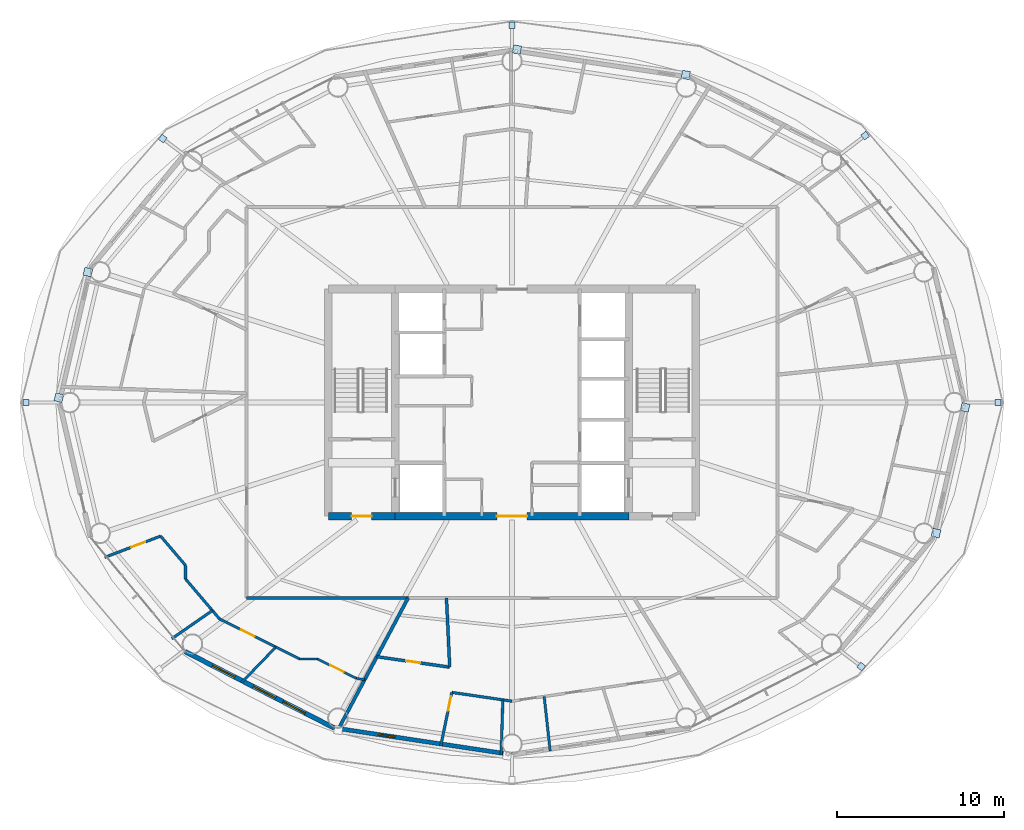
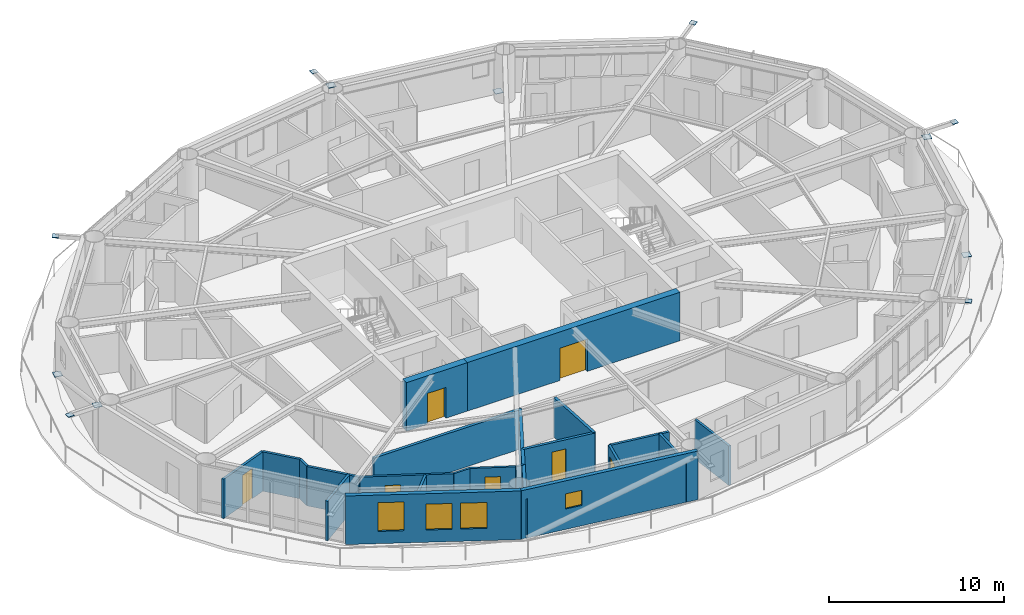
# One storey, part 20 of 28: 24 walls, 12 plates, 7 doors, 4 windows, 11 openings.
"""IFC4 building model written with IfcOpenShell, lengths in metres."""

import ifcopenshell
import ifcopenshell.guid

model = None  # the IFC model being written
_history = None  # IfcOwnerHistory: only IFC2X3 demands one
_inside = {}  # id of a spatial element -> (the spatial element, [elements in it])
_under = {}  # id of a project, library or spatial element -> (it, [spatial elements below it])
_declared = {}  # id of a project -> (the project, [libraries it declares])
_typed = {}  # id of a type object -> (the type object, [elements of that type])
_made_of = {}  # id of a material, layer set ... -> (it, [elements and type objects made of it])


def new_model(schema):
    """Start an empty IFC model of exactly this schema.

    Asked for "IFC4X3", IfcOpenShell would pick the latest addendum, in which some entities
    have other attributes; the version numbers below select the first issue.
    IFC2X3 requires an IfcOwnerHistory on every rooted entity: one is made here for all.
    """
    global model, _history
    if schema == "IFC4X3":
        model = ifcopenshell.file(schema_version=(4, 3, 0, 0))
    else:
        model = ifcopenshell.file(schema=schema)
    _inside.clear()
    _under.clear()
    _declared.clear()
    _typed.clear()
    _made_of.clear()
    _history = None
    if model.schema == "IFC2X3":
        org = make("IfcOrganization", Name="unknown")
        user = make(
            "IfcPersonAndOrganization",
            ThePerson=make("IfcPerson", FamilyName="unknown"),
            TheOrganization=org,
        )
        app = make(
            "IfcApplication",
            ApplicationDeveloper=org,
            Version="unknown",
            ApplicationFullName="unknown",
            ApplicationIdentifier="unknown",
        )
        _history = make(
            "IfcOwnerHistory",
            OwningUser=user,
            OwningApplication=app,
            ChangeAction="ADDED",
            CreationDate=0,
        )
    return model


def make(cls, **values):
    """One entity of the class cls with the attributes given. An attribute that is None is left unset."""
    return model.create_entity(
        cls, **{name: value for name, value in values.items() if value is not None}
    )


def rooted(cls, **values):
    """An entity with a GlobalId (a new one), such as an element, a storey or a relation."""
    return make(cls, GlobalId=ifcopenshell.guid.new(), OwnerHistory=_history, **values)


def si_unit(unit_type, name, prefix=None):
    """IfcSIUnit, for example si_unit("LENGTHUNIT", "METRE", prefix="MILLI")."""
    return make("IfcSIUnit", UnitType=unit_type, Prefix=prefix, Name=name)


def assignment(units):
    """IfcUnitAssignment: the units of a project."""
    return None if units is None else make("IfcUnitAssignment", Units=units)


def point(xyz):
    """IfcCartesianPoint."""
    return None if xyz is None else make("IfcCartesianPoint", Coordinates=xyz)


def direction(xyz):
    """IfcDirection."""
    return None if xyz is None else make("IfcDirection", DirectionRatios=xyz)


def frame(location, z_axis=None, x_axis=None):
    """IfcAxis2Placement3D, a coordinate frame: its origin and axes. An axis left out is left unset."""
    return make(
        "IfcAxis2Placement3D",
        Location=point(location),
        Axis=direction(z_axis),
        RefDirection=direction(x_axis),
    )


def frame_2d(location, x_axis=None):
    """IfcAxis2Placement2D, a coordinate frame in the plane: its origin and x axis."""
    return make(
        "IfcAxis2Placement2D", Location=point(location), RefDirection=direction(x_axis)
    )


def origin():
    """The frame at (0, 0, 0) with its axes left unset."""
    return frame((0.0, 0.0, 0.0))


def origin_2d():
    """The frame at (0, 0) in the plane with its x axis left unset."""
    return frame_2d((0.0, 0.0))


def place(relative_to, where):
    """IfcLocalPlacement: puts the frame where relative to a parent placement (None: the world)."""
    return make(
        "IfcLocalPlacement", PlacementRelTo=relative_to, RelativePlacement=where
    )


def context(
    kind, dimensions, precision=None, world=None, true_north=None, identifier=None
):
    """IfcGeometricRepresentationContext, for example the 3D "Model" context."""
    return make(
        "IfcGeometricRepresentationContext",
        ContextIdentifier=identifier,
        ContextType=kind,
        CoordinateSpaceDimension=dimensions,
        Precision=precision,
        WorldCoordinateSystem=world,
        TrueNorth=true_north,
    )


def subcontext(parent, identifier, kind, view, scale=None):
    """IfcGeometricRepresentationSubContext, for example "Body" below "Model"."""
    return make(
        "IfcGeometricRepresentationSubContext",
        ContextIdentifier=identifier,
        ContextType=kind,
        ParentContext=parent,
        TargetScale=scale,
        TargetView=view,
    )


def project(units=None, contexts=None):
    """IfcProject with its units and contexts."""
    return rooted(
        "IfcProject",
        Name="project",
        RepresentationContexts=contexts,
        UnitsInContext=assignment(units),
    )


def spatial(cls, under=None, at=None, **own):
    """A site, building, storey or space (cls), placed at a placement, below another one or the project."""
    s = rooted(cls, ObjectPlacement=at, **own)
    if under is not None:
        _under.setdefault(under.id(), (under, []))[1].append(s)
    return s


def profile(cls, at=None, kind="AREA", **sizes):
    """A parametric profile (cls). Its sizes go by their IFC names, for example OverallWidth=200.0."""
    return make(cls, ProfileType=kind, Position=at, **sizes)


def rectangle(**sizes):
    """IfcRectangleProfileDef."""
    return profile("IfcRectangleProfileDef", **sizes)


def extrude(swept, where, along, depth):
    """IfcExtrudedAreaSolid: the profile swept, set in the frame where, extruded along a direction by depth."""
    return make(
        "IfcExtrudedAreaSolid",
        SweptArea=swept,
        Position=where,
        ExtrudedDirection=direction(along),
        Depth=depth,
    )


def shape(context_of_items, identifier, shape_type, items):
    """IfcShapeRepresentation: the items that make up one representation, for example the "Body"."""
    return make(
        "IfcShapeRepresentation",
        ContextOfItems=context_of_items,
        RepresentationIdentifier=identifier,
        RepresentationType=shape_type,
        Items=items,
    )


def material(Name=None, Category=None):
    """IfcMaterial."""
    return make("IfcMaterial", Name=Name, Category=Category)


def layer(
    of_material, thickness, ventilated=None, Name=None, Category=None, Priority=None
):
    """IfcMaterialLayer: one layer of a wall or slab, of a material (None: an air gap)."""
    return make(
        "IfcMaterialLayer",
        Material=of_material,
        LayerThickness=thickness,
        IsVentilated=ventilated,
        Name=Name,
        Category=Category,
        Priority=Priority,
    )


def layer_set(layers, Name=None):
    """IfcMaterialLayerSet."""
    return make("IfcMaterialLayerSet", MaterialLayers=layers, LayerSetName=Name)


def made_of(thing, what):
    """Note that an element or type object is made of a material, layer set ...; save() writes the relation."""
    if what is not None:
        _made_of.setdefault(what.id(), (what, []))[1].append(thing)
    return thing


def type_object(cls, material=None, **own):
    """A type object (cls), such as IfcWallType, which elements share."""
    return made_of(rooted(cls, **own), material)


def element(
    cls,
    number,
    at=None,
    inside=None,
    cuts=None,
    type_object=None,
    material=None,
    context=None,
    identifier="Body",
    shape_type=None,
    held_by="IfcProductDefinitionShape",
    body=None,
    shapes=None,
    **own,
):
    """One element of the class cls, such as IfcWall. Its Tag is "e" and its number.

    at: its placement. inside: the storey or other place that contains it. cuts: it is an
    opening in that element (IfcRelVoidsElement). A single representation is given by context,
    identifier, shape_type and body (its items); several are given by shapes. held_by: the class
    of the entity that holds the representations. save() writes the other relations.
    """
    e = rooted(cls, Tag="e%d" % number, ObjectPlacement=at, **own)
    if body is not None:
        shapes = [shape(context, identifier, shape_type, body)]
    if shapes is not None:
        e.Representation = make(held_by, Representations=shapes)
    if inside is not None:
        _inside.setdefault(inside.id(), (inside, []))[1].append(e)
    if cuts is not None:
        rooted(
            "IfcRelVoidsElement", RelatingBuildingElement=cuts, RelatedOpeningElement=e
        )
    if type_object is not None:
        _typed.setdefault(type_object.id(), (type_object, []))[1].append(e)
    return made_of(e, material)


def fill(opening, filler):
    """IfcRelFillsElement: the door or window that sits in an opening."""
    return rooted(
        "IfcRelFillsElement",
        RelatingOpeningElement=opening,
        RelatedBuildingElement=filler,
    )


def aggregate(whole, parts):
    """IfcRelAggregates: a whole, such as a stair, and the parts it consists of."""
    return rooted("IfcRelAggregates", RelatingObject=whole, RelatedObjects=parts)


def save(model, path):
    """Write the relations noted so far, then the file.

    IfcRelAggregates (storeys below a building ...), IfcRelContainedInSpatialStructure (elements
    in a storey), IfcRelDefinesByType, IfcRelAssociatesMaterial and IfcRelDeclares: one each for
    every whole, place, type object, material and project.
    """
    for whole, parts in _under.values():
        aggregate(whole, parts)
    for where, things in _inside.values():
        rooted(
            "IfcRelContainedInSpatialStructure",
            RelatedElements=things,
            RelatingStructure=where,
        )
    for kind, things in _typed.values():
        rooted("IfcRelDefinesByType", RelatedObjects=things, RelatingType=kind)
    for what, things in _made_of.values():
        rooted("IfcRelAssociatesMaterial", RelatedObjects=things, RelatingMaterial=what)
    for by, libraries in _declared.values():
        rooted("IfcRelDeclares", RelatingContext=by, RelatedDefinitions=libraries)
    model.write(path)


model = new_model("IFC4")

# Units and contexts
model_context = context("Model", 3, precision=1e-05, world=origin(), true_north=direction((0.0, 1.0)))
body_context = subcontext(model_context, "Body", "Model", "MODEL_VIEW")
ifc_project = project(units=[si_unit("LENGTHUNIT", "METRE"), si_unit("AREAUNIT", "SQUARE_METRE"), si_unit("VOLUMEUNIT", "CUBIC_METRE"), si_unit("PLANEANGLEUNIT", "RADIAN"), si_unit("MASSUNIT", "GRAM", prefix="KILO")], contexts=[model_context])

# Site, building, storey
site_placement = place(None, origin())
site = spatial("IfcSite", under=ifc_project, at=site_placement, CompositionType="ELEMENT")
building_placement = place(site_placement, origin())
building = spatial("IfcBuilding", under=site, at=building_placement, Name="Sarneth Arch Tower", CompositionType="ELEMENT")
storey_placement = place(building_placement, frame((0.0, 0.0, 190.199951171875)))
storey = spatial("IfcBuildingStorey", under=building, at=storey_placement, Name="L48", CompositionType="ELEMENT", Elevation=190.199951171875)

# Plates
ifc_material_1 = material(Name="Steel S355", Category="steel")
ifc_layer_1 = layer(ifc_material_1, 0.035888671875)
ifc_layer_set_1 = layer_set([ifc_layer_1], Name="Steel S355")
plate_type = type_object("IfcPlateType", Name="PLT-GUSSET-30", PredefinedType="SHEET", material=ifc_layer_set_1)
for number, where, z_axis, x_axis, name in (
    (1, (77.09521484375, 42.0, 3.2021484375), (0.0, 0.0, 1.0), (1.0, 0.0, 0.0), "Steel end cap plate GP-1"),
    (2, (69.144775390625, 57.980224609375, 3.2021484375), (0.0, 0.0, 1.0), (0.797794439539, 0.602929541689, 0.0), "Steel end cap plate GP-1"),
):
    element("IfcPlate", number, at=place(storey_placement, frame(where, z_axis=z_axis, x_axis=x_axis)), inside=storey, type_object=plate_type, Name=name, PredefinedType="SHEET", context=body_context, shape_type="SweptSolid", body=[
        extrude(rectangle(XDim=0.3798828125, YDim=0.3798828125, at=origin_2d()), origin(), (0.0, 0.0, 1.0), 0.035888671875),
    ])
for number, where, z_axis, x_axis, name in (
    (3, (58.404296875, 61.612548828125, 0.001953125), (0.0, 0.0, 1.0), (-0.98883454203, 0.149017611339, 0.0), "Steel end cap plate GP-1"),
    (4, (48.296630859375, 63.13525390625, 3.03271484375), (0.0, 0.0, 1.0), (-0.98883454203, 0.149017611339, 0.0), "Steel end cap plate GP-1"),
):
    element("IfcPlate", number, at=place(storey_placement, frame(where, z_axis=z_axis, x_axis=x_axis)), inside=storey, type_object=plate_type, Name=name, PredefinedType="SHEET", context=body_context, shape_type="SweptSolid", body=[
        extrude(rectangle(XDim=0.486083984375, YDim=0.486083984375, at=origin_2d()), origin(), (0.0, 0.0, 1.0), 0.035888671875),
    ])
for number, where, z_axis, x_axis, name in (
    (5, (48.0, 64.591796875, 3.2021484375), (0.0, 0.0, 1.0), (0.0, 1.0, 0.0), "Steel end cap plate GP-1"),
    (6, (27.087646484375, 57.804443359375, 3.2021484375), (0.0, 0.0, 1.0), (-0.797794439539, 0.602929541689, 0.0), "Steel end cap plate GP-1"),
):
    element("IfcPlate", number, at=place(storey_placement, frame(where, z_axis=z_axis, x_axis=x_axis)), inside=storey, type_object=plate_type, Name=name, PredefinedType="SHEET", context=body_context, shape_type="SweptSolid", body=[
        extrude(rectangle(XDim=0.3798828125, YDim=0.3798828125, at=origin_2d()), origin(), (0.0, 0.0, 1.0), 0.035888671875),
    ])
for number, where, z_axis, x_axis, name in (
    (7, (22.609619140625, 49.81298828125, 0.001953125), (0.0, 0.0, 1.0), (-0.225291159947, -0.974291482694, 0.0), "Steel end cap plate GP-1"),
    (8, (20.87109375, 42.292236328125, 3.03271484375), (0.0, 0.0, 1.0), (-0.225291159947, -0.974291482694, 0.0), "Steel end cap plate GP-1"),
):
    element("IfcPlate", number, at=place(storey_placement, frame(where, z_axis=z_axis, x_axis=x_axis)), inside=storey, type_object=plate_type, Name=name, PredefinedType="SHEET", context=body_context, shape_type="SweptSolid", body=[
        extrude(rectangle(XDim=0.486083984375, YDim=0.486083984375, at=origin_2d()), origin(), (0.0, 0.0, 1.0), 0.035888671875),
    ])
for number, where, z_axis, x_axis, name in (
    (9, (18.90478515625, 42.0, 3.2021484375), (0.0, 0.0, 1.0), (-1.0, 0.0, 0.0), "Steel end cap plate GP-1"),
    (10, (68.912353515625, 26.195556640625, 3.2021484375), (0.0, 0.0, 1.0), (0.797794439539, -0.602929541689, 0.0), "Steel end cap plate GP-1"),
):
    element("IfcPlate", number, at=place(storey_placement, frame(where, z_axis=z_axis, x_axis=x_axis)), inside=storey, type_object=plate_type, Name=name, PredefinedType="SHEET", context=body_context, shape_type="SweptSolid", body=[
        extrude(rectangle(XDim=0.3798828125, YDim=0.3798828125, at=origin_2d()), origin(), (0.0, 0.0, 1.0), 0.035888671875),
    ])
for number, where, z_axis, x_axis, name in (
    (11, (73.390380859375, 34.18701171875, 0.001953125), (0.0, 0.0, 1.0), (0.225291159947, 0.974291482694, 0.0), "Steel end cap plate GP-1"),
    (12, (75.12890625, 41.707763671875, 3.03271484375), (0.0, 0.0, 1.0), (0.225291159947, 0.974291482694, 0.0), "Steel end cap plate GP-1"),
):
    element("IfcPlate", number, at=place(storey_placement, frame(where, z_axis=z_axis, x_axis=x_axis)), inside=storey, type_object=plate_type, Name=name, PredefinedType="SHEET", context=body_context, shape_type="SweptSolid", body=[
        extrude(rectangle(XDim=0.486083984375, YDim=0.486083984375, at=origin_2d()), origin(), (0.0, 0.0, 1.0), 0.035888671875),
    ])

# Wall, opening, door
ifc_material_2 = material(Name="Concrete C50/60", Category="concrete")
ifc_layer_2 = layer(ifc_material_2, 0.449951171875)
ifc_layer_set_2 = layer_set([ifc_layer_2], Name="Concrete C50/60")
wall_type_1 = type_object("IfcWallType", Name="WALL-CORE-450", PredefinedType="SHEAR", material=ifc_layer_set_2)
wall_1_placement = place(storey_placement, frame((37.0, 35.199951171875, 0.0), z_axis=(0.0, 0.0, 1.0), x_axis=(1.0, 0.0, 0.0)))
wall_1 = element("IfcWall", 13, at=wall_1_placement, inside=storey, type_object=wall_type_1, Name="L48 Core shear wall S-W", PredefinedType="SHEAR", context=body_context, shape_type="SweptSolid", body=[
    extrude(rectangle(XDim=4.0, YDim=0.449951171875, at=frame_2d((2.0, 0.0))), origin(), (0.0, 0.0, 1.0), 3.380126953125),
])
opening_1_placement = place(wall_1_placement, frame((1.39990234375, 0.0, 0.0)))
opening_1 = element("IfcOpeningElement", 14, at=opening_1_placement, cuts=wall_1, Name="Opening FD-02", PredefinedType="OPENING", context=body_context, shape_type="SweptSolid", body=[
    extrude(rectangle(XDim=1.199951171875, YDim=2.14990234375, at=frame_2d((0.60009765625, 1.074951171875))), frame((0.0, 0.23486328125, 0.0), z_axis=(0.0, -1.0, 0.0), x_axis=(1.0, 0.0, 0.0)), (0.0, 0.0, 1.0), 0.469970703125),
])
ifc_material_3 = material(Name="Galvanised Steel S275 fire door set", Category="steel")
door_type_1 = type_object("IfcDoorType", Name="DR-FD90-1200", OperationType="SINGLE_SWING_LEFT", PredefinedType="DOOR", material=ifc_material_3)
door_1_placement = place(opening_1_placement, origin())
door_1 = element("IfcDoor", 15, at=door_1_placement, inside=storey, type_object=door_type_1, Name="L48 Firefighting lobby 1 exit door", OperationType="SINGLE_SWING_LEFT", OverallHeight=2.14990234375, OverallWidth=1.199951171875, PredefinedType="DOOR", context=body_context, shape_type="SweptSolid", body=[
    extrude(rectangle(XDim=1.199951171875, YDim=2.14990234375, at=frame_2d((0.60009765625, 1.074951171875))), frame((0.0, 0.02490234375, 0.0), z_axis=(0.0, -1.0, 0.0), x_axis=(1.0, 0.0, 0.0)), (0.0, 0.0, 1.0), 0.050048828125),
])
fill(opening_1, door_1)

wall_2_placement = place(storey_placement, frame((41.0, 35.199951171875, 0.0), z_axis=(0.0, 0.0, 1.0), x_axis=(1.0, 0.0, 0.0)))
wall_2 = element("IfcWall", 16, at=wall_2_placement, inside=storey, type_object=wall_type_1, Name="L48 Core shear wall S-M", PredefinedType="SHEAR", context=body_context, shape_type="SweptSolid", body=[
    extrude(rectangle(XDim=14.0, YDim=0.449951171875, at=frame_2d((7.0, 0.0))), origin(), (0.0, 0.0, 1.0), 3.380126953125),
])
opening_2_placement = place(wall_2_placement, frame((6.10009765625, 0.0, 0.0)))
opening_2 = element("IfcOpeningElement", 17, at=opening_2_placement, cuts=wall_2, Name="Opening FD-01", PredefinedType="OPENING", context=body_context, shape_type="SweptSolid", body=[
    extrude(rectangle(XDim=1.800048828125, YDim=2.25, at=frame_2d((0.89990234375, 1.125))), frame((0.0, 0.23486328125, 0.0), z_axis=(0.0, -1.0, 0.0), x_axis=(1.0, 0.0, 0.0)), (0.0, 0.0, 1.0), 0.469970703125),
])
ifc_material_4 = material(Name="Galvanised Steel S275 fire door set", Category="steel")
door_type_2 = type_object("IfcDoorType", Name="DR-FD90-1800", OperationType="DOUBLE_DOOR_SINGLE_SWING", PredefinedType="DOOR", material=ifc_material_4)
door_2_placement = place(opening_2_placement, origin())
door_2 = element("IfcDoor", 18, at=door_2_placement, inside=storey, type_object=door_type_2, Name="L48 Central lift lobby south door", OperationType="DOUBLE_DOOR_SINGLE_SWING", OverallHeight=2.25, OverallWidth=1.800048828125, PredefinedType="DOOR", context=body_context, shape_type="SweptSolid", body=[
    extrude(rectangle(XDim=1.800048828125, YDim=2.25, at=frame_2d((0.89990234375, 1.125))), frame((0.0, 0.02490234375, 0.0), z_axis=(0.0, -1.0, 0.0), x_axis=(1.0, 0.0, 0.0)), (0.0, 0.0, 1.0), 0.050048828125),
])
fill(opening_2, door_2)

# Wall
ifc_material_5 = material(Name="Double steel-stud corridor fire wall", Category="steel")
ifc_layer_3 = layer(ifc_material_5, 0.18994140625)
ifc_layer_set_3 = layer_set([ifc_layer_3], Name="Double steel-stud corridor fire wall")
wall_type_2 = type_object("IfcWallType", Name="WALL-CORR-190", PredefinedType="PARTITIONING", material=ifc_layer_set_3)
wall_3_placement = place(storey_placement, frame((41.815185546875, 30.300048828125, 0.0), z_axis=(0.0, 0.0, 1.0), x_axis=(-1.0, 0.0, 0.0)))
element("IfcWall", 19, at=wall_3_placement, inside=storey, type_object=wall_type_2, Name="L48 Interior partition W-L48-TP-011", PredefinedType="PARTITIONING", context=body_context, shape_type="SweptSolid", body=[
    extrude(rectangle(XDim=9.715087890625, YDim=0.18994140625, at=frame_2d((4.857421875, 0.0))), origin(), (0.0, 0.0, 1.0), 2.739990234375),
])

# Wall, opening, window
ifc_material_6 = material(Name="Extruded terracotta rainscreen on Concrete C40/50 backing", Category="masonry")
ifc_layer_4 = layer(ifc_material_6, 0.25)
ifc_layer_set_4 = layer_set([ifc_layer_4], Name="Extruded terracotta rainscreen on Concrete C40/50 backing")
wall_type_3 = type_object("IfcWallType", Name="WALL-EXT-SPAND-250", PredefinedType="SOLIDWALL", material=ifc_layer_set_4)
wall_4_placement = place(storey_placement, frame((37.337158203125, 22.524658203125, 0.0), z_axis=(0.0, 0.0, 1.0), x_axis=(0.988863993413, -0.148822049884, 0.0)))
wall_4 = element("IfcWall", 20, at=wall_4_placement, inside=storey, type_object=wall_type_3, Name="L48 Terracotta perimeter wall 12", PredefinedType="SOLIDWALL", context=body_context, shape_type="SweptSolid", body=[
    extrude(rectangle(XDim=10.782958984375, YDim=0.25, at=frame_2d((5.3916015625, 0.0))), origin(), (0.0, 0.0, 1.0), 3.380126953125),
])
opening_3_placement = place(wall_4_placement, frame((2.697509765625, 0.0, 1.419921875)))
opening_3 = element("IfcOpeningElement", 21, at=opening_3_placement, cuts=wall_4, Name="Opening W-14", PredefinedType="OPENING", context=body_context, shape_type="SweptSolid", body=[
    extrude(rectangle(XDim=1.0, YDim=1.050048828125, at=frame_2d((0.5, 0.52490234375))), frame((0.0, 0.135009765625, 0.0), z_axis=(0.0, -1.0, 0.0), x_axis=(1.0, 0.0, 0.0)), (0.0, 0.0, 1.0), 0.27001953125),
])
ifc_material_7 = material(Name="Thermally broken Aluminium 6063-T6 and low-e laminated IGU", Category="aluminium")
window_type_1 = type_object("IfcWindowType", Name="WIN-TWR-1000x1050", PartitioningType="SINGLE_PANEL", PredefinedType="WINDOW", material=ifc_material_7)
window_1_placement = place(opening_3_placement, origin())
window_1 = element("IfcWindow", 22, at=window_1_placement, inside=storey, type_object=window_type_1, Name="L48 Dwelling bedroom window 03", OverallHeight=1.050048828125, OverallWidth=1.0, PartitioningType="SINGLE_PANEL", PredefinedType="WINDOW", context=body_context, shape_type="SweptSolid", body=[
    extrude(rectangle(XDim=1.0, YDim=1.050048828125, at=frame_2d((0.5, 0.52490234375))), frame((0.0, 0.030029296875, 0.0), z_axis=(0.0, -1.0, 0.0), x_axis=(1.0, 0.0, 0.0)), (0.0, 0.0, 1.0), 0.06005859375),
])
fill(opening_3, window_1)

# Wall, openings, windows
ifc_material_8 = material(Name="Extruded terracotta rainscreen on Concrete C40/50 backing", Category="masonry")
ifc_layer_5 = layer(ifc_material_8, 0.280029296875)
ifc_layer_set_5 = layer_set([ifc_layer_5], Name="Extruded terracotta rainscreen on Concrete C40/50 backing")
wall_type_4 = type_object("IfcWallType", Name="WALL-EXT-TERRA-280", PredefinedType="SOLIDWALL", material=ifc_layer_set_5)
wall_5_placement = place(storey_placement, frame((28.423828125, 27.09423828125, 0.0), z_axis=(0.0, 0.0, 1.0), x_axis=(0.889872523182, -0.456209263919, 0.0)))
wall_5 = element("IfcWall", 23, at=wall_5_placement, inside=storey, type_object=wall_type_4, Name="L48 Terracotta perimeter wall 11", PredefinedType="SOLIDWALL", context=body_context, shape_type="SweptSolid", body=[
    extrude(rectangle(XDim=10.016357421875, YDim=0.280029296875, at=frame_2d((5.00830078125, 0.0))), origin(), (0.0, 0.0, 1.0), 3.380126953125),
])
opening_4_placement = place(wall_5_placement, frame((1.85009765625, 0.0, 0.85009765625)))
opening_4 = element("IfcOpeningElement", 24, at=opening_4_placement, cuts=wall_5, Name="Opening W-06", PredefinedType="OPENING", context=body_context, shape_type="SweptSolid", body=[
    extrude(rectangle(XDim=1.5, YDim=2.0, at=frame_2d((0.75, 1.0))), frame((0.0, 0.14990234375, 0.0), z_axis=(0.0, -1.0, 0.0), x_axis=(1.0, 0.0, 0.0)), (0.0, 0.0, 1.0), 0.300048828125),
])
opening_5_placement = place(wall_5_placement, frame((4.59521484375, 0.0, 0.85009765625)))
opening_5 = element("IfcOpeningElement", 25, at=opening_5_placement, cuts=wall_5, Name="Opening W-07", PredefinedType="OPENING", context=body_context, shape_type="SweptSolid", body=[
    extrude(rectangle(XDim=1.5, YDim=1.800048828125, at=frame_2d((0.75, 0.89990234375))), frame((0.0, 0.14990234375, 0.0), z_axis=(0.0, -1.0, 0.0), x_axis=(1.0, 0.0, 0.0)), (0.0, 0.0, 1.0), 0.300048828125),
])
opening_6_placement = place(wall_5_placement, frame((6.580078125, 0.0, 0.85009765625)))
opening_6 = element("IfcOpeningElement", 26, at=opening_6_placement, cuts=wall_5, Name="Opening W-07", PredefinedType="OPENING", context=body_context, shape_type="SweptSolid", body=[
    extrude(rectangle(XDim=1.5, YDim=1.800048828125, at=frame_2d((0.75, 0.89990234375))), frame((0.0, 0.14990234375, 0.0), z_axis=(0.0, -1.0, 0.0), x_axis=(1.0, 0.0, 0.0)), (0.0, 0.0, 1.0), 0.300048828125),
])
ifc_material_9 = material(Name="Thermally broken Aluminium 6063-T6 and low-e laminated IGU", Category="aluminium")
window_type_2 = type_object("IfcWindowType", Name="WIN-TWR-1500x1800", PartitioningType="SINGLE_PANEL", PredefinedType="WINDOW", material=ifc_material_9)
window_2_placement = place(opening_5_placement, origin())
window_2 = element("IfcWindow", 27, at=window_2_placement, inside=storey, type_object=window_type_2, Name="L48 Exterior window 11B", OverallHeight=1.800048828125, OverallWidth=1.5, PartitioningType="SINGLE_PANEL", PredefinedType="WINDOW", context=body_context, shape_type="SweptSolid", body=[
    extrude(rectangle(XDim=1.5, YDim=1.800048828125, at=frame_2d((0.75, 0.89990234375))), frame((0.0, 0.030029296875, 0.0), z_axis=(0.0, -1.0, 0.0), x_axis=(1.0, 0.0, 0.0)), (0.0, 0.0, 1.0), 0.06005859375),
])
fill(opening_5, window_2)
window_3_placement = place(opening_6_placement, origin())
window_3 = element("IfcWindow", 28, at=window_3_placement, inside=storey, type_object=window_type_2, Name="L48 Exterior window 11C", OverallHeight=1.800048828125, OverallWidth=1.5, PartitioningType="SINGLE_PANEL", PredefinedType="WINDOW", context=body_context, shape_type="SweptSolid", body=[
    extrude(rectangle(XDim=1.5, YDim=1.800048828125, at=frame_2d((0.75, 0.89990234375))), frame((0.0, 0.030029296875, 0.0), z_axis=(0.0, -1.0, 0.0), x_axis=(1.0, 0.0, 0.0)), (0.0, 0.0, 1.0), 0.06005859375),
])
fill(opening_6, window_3)
ifc_material_10 = material(Name="Thermally broken Aluminium 6063-T6 and low-e laminated IGU", Category="aluminium")
window_type_3 = type_object("IfcWindowType", Name="WIN-TWR-1500x2000", PartitioningType="SINGLE_PANEL", PredefinedType="WINDOW", material=ifc_material_10)
window_4_placement = place(opening_4_placement, origin())
window_4 = element("IfcWindow", 29, at=window_4_placement, inside=storey, type_object=window_type_3, Name="L48 Exterior window 11A", OverallHeight=2.0, OverallWidth=1.5, PartitioningType="SINGLE_PANEL", PredefinedType="WINDOW", context=body_context, shape_type="SweptSolid", body=[
    extrude(rectangle(XDim=1.5, YDim=2.0, at=frame_2d((0.75, 1.0))), frame((0.0, 0.030029296875, 0.0), z_axis=(0.0, -1.0, 0.0), x_axis=(1.0, 0.0, 0.0)), (0.0, 0.0, 1.0), 0.06005859375),
])
fill(opening_4, window_4)

# Wall, opening, door
ifc_material_11 = material(Name="Apartment internal stud partition", Category="gypsum")
ifc_layer_6 = layer(ifc_material_11, 0.139892578125)
ifc_layer_set_6 = layer_set([ifc_layer_6], Name="Apartment internal stud partition")
wall_type_5 = type_object("IfcWallType", Name="WALL-PART-140", PredefinedType="PARTITIONING", material=ifc_layer_set_6)
wall_6_placement = place(storey_placement, frame((36.348876953125, 26.64990234375, 0.0), z_axis=(0.0, 0.0, 1.0), x_axis=(0.895041110332, -0.445983644112, 0.0)))
wall_6 = element("IfcWall", 30, at=wall_6_placement, inside=storey, type_object=wall_type_5, Name="L48 Interior partition W-L48-TP-087", PredefinedType="PARTITIONING", context=body_context, shape_type="SweptSolid", body=[
    extrude(rectangle(XDim=2.62109375, YDim=0.139892578125, at=frame_2d((1.310546875, 0.0))), origin(), (0.0, 0.0, 1.0), 2.739990234375),
])
opening_7_placement = place(wall_6_placement, frame((0.860595703125, 0.0, 0.0)))
opening_7 = element("IfcOpeningElement", 31, at=opening_7_placement, cuts=wall_6, Name="Opening ID-01", PredefinedType="OPENING", context=body_context, shape_type="SweptSolid", body=[
    extrude(rectangle(XDim=0.89990234375, YDim=2.10009765625, at=frame_2d((0.449951171875, 1.050048828125))), frame((0.0, 0.079833984375, 0.0), z_axis=(0.0, -1.0, 0.0), x_axis=(1.0, 0.0, 0.0)), (0.0, 0.0, 1.0), 0.159912109375),
])
ifc_material_12 = material(Name="Engineered hardwood flush door", Category="wood")
door_type_3 = type_object("IfcDoorType", Name="DR-INT-900", OperationType="SINGLE_SWING_LEFT", PredefinedType="DOOR", material=ifc_material_12)
door_3_placement = place(opening_7_placement, origin())
door_3 = element("IfcDoor", 32, at=door_3_placement, inside=storey, type_object=door_type_3, Name="L48 Interior door DR-L48-U4-BED2", OperationType="SINGLE_SWING_LEFT", OverallHeight=2.10009765625, OverallWidth=0.89990234375, PredefinedType="DOOR", context=body_context, shape_type="SweptSolid", body=[
    extrude(rectangle(XDim=0.89990234375, YDim=2.10009765625, at=frame_2d((0.449951171875, 1.050048828125))), frame((0.0, 0.02490234375, 0.0), z_axis=(0.0, -1.0, 0.0), x_axis=(1.0, 0.0, 0.0)), (0.0, 0.0, 1.0), 0.050048828125),
])
fill(opening_7, door_3)

# Walls
wall_7_placement = place(storey_placement, frame((33.8623046875, 27.360107421875, 0.0), z_axis=(0.0, 0.0, 1.0), x_axis=(0.894917522296, -0.446231585937, 0.0)))
element("IfcWall", 33, at=wall_7_placement, inside=storey, type_object=wall_type_5, Name="L48 Interior partition W-L48-TP-085", PredefinedType="PARTITIONING", context=body_context, shape_type="SweptSolid", body=[
    extrude(rectangle(XDim=1.591552734375, YDim=0.139892578125, at=frame_2d((0.7958984375, 0.0))), origin(), (0.0, 0.0, 1.0), 2.739990234375),
])
wall_8_placement = place(storey_placement, frame((35.28662109375, 26.64990234375, 0.0), z_axis=(0.0, 0.0, 1.0), x_axis=(1.0, 0.0, 0.0)))
element("IfcWall", 34, at=wall_8_placement, inside=storey, type_object=wall_type_5, Name="L48 Interior partition W-L48-TP-086", PredefinedType="PARTITIONING", context=body_context, shape_type="SweptSolid", body=[
    extrude(rectangle(XDim=1.062255859375, YDim=0.139892578125, at=frame_2d((0.53125, 0.0))), origin(), (0.0, 0.0, 1.0), 2.739990234375),
])
wall_9_placement = place(storey_placement, frame((38.69482421875, 25.48095703125, 0.0), z_axis=(0.0, 0.0, 1.0), x_axis=(0.989485449351, -0.144632449754, 0.0)))
element("IfcWall", 35, at=wall_9_placement, inside=storey, type_object=wall_type_5, Name="L48 Interior partition W-L48-TP-088", PredefinedType="PARTITIONING", context=body_context, shape_type="SweptSolid", body=[
    extrude(rectangle(XDim=0.489501953125, YDim=0.139892578125, at=frame_2d((0.24462890625, 0.0))), origin(), (0.0, 0.0, 1.0), 2.739990234375),
])

# Wall, opening, door
ifc_material_13 = material(Name="Acoustic gypsum stud partition", Category="gypsum")
ifc_layer_7 = layer(ifc_material_13, 0.14990234375)
ifc_layer_set_7 = layer_set([ifc_layer_7], Name="Acoustic gypsum stud partition")
wall_type_6 = type_object("IfcWallType", Name="WALL-PART-150", PredefinedType="PARTITIONING", material=ifc_layer_set_7)
wall_10_placement = place(storey_placement, frame((30.4951171875, 29.038818359375, 0.0), z_axis=(0.0, 0.0, 1.0), x_axis=(0.894945698469, -0.44617507415, 0.0)))
wall_10 = element("IfcWall", 36, at=wall_10_placement, inside=storey, type_object=wall_type_6, Name="L48 Interior partition W-L48-TP-084", PredefinedType="PARTITIONING", context=body_context, shape_type="SweptSolid", body=[
    extrude(rectangle(XDim=3.762451171875, YDim=0.14990234375, at=frame_2d((1.88134765625, 0.0))), origin(), (0.0, 0.0, 1.0), 2.739990234375),
])
opening_8_placement = place(wall_10_placement, frame((1.43115234375, 0.0, 0.0)))
opening_8 = element("IfcOpeningElement", 37, at=opening_8_placement, cuts=wall_10, Name="Opening ID-01", PredefinedType="OPENING", context=body_context, shape_type="SweptSolid", body=[
    extrude(rectangle(XDim=0.89990234375, YDim=2.10009765625, at=frame_2d((0.449951171875, 1.050048828125))), frame((0.0, 0.0849609375, 0.0), z_axis=(0.0, -1.0, 0.0), x_axis=(1.0, 0.0, 0.0)), (0.0, 0.0, 1.0), 0.169921875),
])
door_4_placement = place(opening_8_placement, origin())
door_4 = element("IfcDoor", 38, at=door_4_placement, inside=storey, type_object=door_type_3, Name="L48 Interior door DR-L48-U4-BED1", OperationType="SINGLE_SWING_LEFT", OverallHeight=2.10009765625, OverallWidth=0.89990234375, PredefinedType="DOOR", context=body_context, shape_type="SweptSolid", body=[
    extrude(rectangle(XDim=0.89990234375, YDim=2.10009765625, at=frame_2d((0.449951171875, 1.050048828125))), frame((0.0, 0.02490234375, 0.0), z_axis=(0.0, -1.0, 0.0), x_axis=(1.0, 0.0, 0.0)), (0.0, 0.0, 1.0), 0.050048828125),
])
fill(opening_8, door_4)

# Walls
wall_11_placement = place(storey_placement, frame((50.28466796875, 21.142578125, 0.0), z_axis=(0.0, 0.0, 1.0), x_axis=(-0.108935832995, 0.994048783657, 0.0)))
element("IfcWall", 39, at=wall_11_placement, inside=storey, type_object=wall_type_6, Name="L48 Interior partition W-L48-TP-105", PredefinedType="PARTITIONING", context=body_context, shape_type="SweptSolid", body=[
    extrude(rectangle(XDim=3.27880859375, YDim=0.14990234375, at=frame_2d((1.639404296875, 0.0))), origin(), (0.0, 0.0, 1.0), 2.739990234375),
])
wall_12_placement = place(storey_placement, frame((33.8623046875, 27.360107421875, 0.0), z_axis=(0.0, 0.0, 1.0), x_axis=(-0.694625426755, -0.719371612246, 0.0)))
element("IfcWall", 40, at=wall_12_placement, inside=storey, type_object=wall_type_6, Name="L48 Interior partition W-L48-TP-092", PredefinedType="PARTITIONING", context=body_context, shape_type="SweptSolid", body=[
    extrude(rectangle(XDim=2.959716796875, YDim=0.14990234375, at=frame_2d((1.47998046875, 0.0))), origin(), (0.0, 0.0, 1.0), 2.739990234375),
])

# Wall, opening, door
ifc_material_14 = material(Name="Kitchen wet service chase wall", Category="gypsum")
ifc_layer_8 = layer(ifc_material_14, 0.159912109375)
ifc_layer_set_8 = layer_set([ifc_layer_8], Name="Kitchen wet service chase wall")
wall_type_7 = type_object("IfcWallType", Name="WALL-PLUMB-160", PredefinedType="PLUMBINGWALL", material=ifc_layer_set_8)
wall_13_placement = place(storey_placement, frame((26.961669921875, 34.004638671875, 0.0), z_axis=(0.0, 0.0, 1.0), x_axis=(-0.934799422257, -0.355176069222, 0.0)))
wall_13 = element("IfcWall", 41, at=wall_13_placement, inside=storey, type_object=wall_type_7, Name="L48 Interior partition W-L48-TP-079", PredefinedType="PLUMBINGWALL", context=body_context, shape_type="SweptSolid", body=[
    extrude(rectangle(XDim=3.58203125, YDim=0.159912109375, at=frame_2d((1.791015625, 0.0))), origin(), (0.0, 0.0, 1.0), 2.739990234375),
])
opening_9_placement = place(wall_13_placement, frame((0.98095703125, 0.0, 0.0)))
opening_9 = element("IfcOpeningElement", 42, at=opening_9_placement, cuts=wall_13, Name="Opening ID-01", PredefinedType="OPENING", context=body_context, shape_type="SweptSolid", body=[
    extrude(rectangle(XDim=0.89990234375, YDim=2.10009765625, at=frame_2d((0.449951171875, 1.050048828125))), frame((0.0, 0.08984375, 0.0), z_axis=(0.0, -1.0, 0.0), x_axis=(1.0, 0.0, 0.0)), (0.0, 0.0, 1.0), 0.179931640625),
])
door_5_placement = place(opening_9_placement, origin())
door_5 = element("IfcDoor", 43, at=door_5_placement, inside=storey, type_object=door_type_3, Name="L48 Interior door DR-L48-U4-KIT", OperationType="SINGLE_SWING_RIGHT", OverallHeight=2.10009765625, OverallWidth=0.89990234375, PredefinedType="DOOR", context=body_context, shape_type="SweptSolid", body=[
    extrude(rectangle(XDim=0.89990234375, YDim=2.10009765625, at=frame_2d((0.449951171875, 1.050048828125))), frame((0.0, 0.02490234375, 0.0), z_axis=(0.0, -1.0, 0.0), x_axis=(1.0, 0.0, 0.0)), (0.0, 0.0, 1.0), 0.050048828125),
])
fill(opening_9, door_5)

# Wall
wall_14_placement = place(storey_placement, frame((47.451416015625, 24.2001953125, 0.0), z_axis=(0.0, 0.0, 1.0), x_axis=(-0.03081032148, -0.999525249351, 0.0)))
element("IfcWall", 44, at=wall_14_placement, inside=storey, type_object=wall_type_7, Name="L48 Interior partition W-L48-TP-104", PredefinedType="PLUMBINGWALL", context=body_context, shape_type="SweptSolid", body=[
    extrude(rectangle(XDim=3.30419921875, YDim=0.159912109375, at=frame_2d((1.652099609375, 0.0))), origin(), (0.0, 0.0, 1.0), 2.739990234375),
])

# Wall, opening, door
wall_15_placement = place(storey_placement, frame((43.733154296875, 21.44091796875, 0.0), z_axis=(0.0, 0.0, 1.0), x_axis=(0.203194875639, 0.979138316334, 0.0)))
wall_15 = element("IfcWall", 45, at=wall_15_placement, inside=storey, type_object=wall_type_7, Name="L48 Interior partition W-L48-TP-094", PredefinedType="PLUMBINGWALL", context=body_context, shape_type="SweptSolid", body=[
    extrude(rectangle(XDim=3.274169921875, YDim=0.159912109375, at=frame_2d((1.63720703125, 0.0))), origin(), (0.0, 0.0, 1.0), 2.739990234375),
])
opening_10_placement = place(wall_15_placement, frame((2.147216796875, 0.0, 0.0)))
opening_10 = element("IfcOpeningElement", 46, at=opening_10_placement, cuts=wall_15, Name="Opening ID-01", PredefinedType="OPENING", context=body_context, shape_type="SweptSolid", body=[
    extrude(rectangle(XDim=0.89990234375, YDim=2.10009765625, at=frame_2d((0.449951171875, 1.050048828125))), frame((0.0, 0.08984375, 0.0), z_axis=(0.0, -1.0, 0.0), x_axis=(1.0, 0.0, 0.0)), (0.0, 0.0, 1.0), 0.179931640625),
])
door_6_placement = place(opening_10_placement, origin())
door_6 = element("IfcDoor", 47, at=door_6_placement, inside=storey, type_object=door_type_3, Name="L48 Interior door DR-L48-U5-KIT", OperationType="SINGLE_SWING_RIGHT", OverallHeight=2.10009765625, OverallWidth=0.89990234375, PredefinedType="DOOR", context=body_context, shape_type="SweptSolid", body=[
    extrude(rectangle(XDim=0.89990234375, YDim=2.10009765625, at=frame_2d((0.449951171875, 1.050048828125))), frame((0.0, 0.02490234375, 0.0), z_axis=(0.0, -1.0, 0.0), x_axis=(1.0, 0.0, 0.0)), (0.0, 0.0, 1.0), 0.050048828125),
])
fill(opening_10, door_6)

# Walls
wall_16_placement = place(storey_placement, frame((44.3984375, 24.646728515625, 0.0), z_axis=(0.0, 0.0, 1.0), x_axis=(0.989478635987, -0.144679054896, 0.0)))
element("IfcWall", 48, at=wall_16_placement, inside=storey, type_object=wall_type_7, Name="L48 Interior partition W-L48-TP-095", PredefinedType="PLUMBINGWALL", context=body_context, shape_type="SweptSolid", body=[
    extrude(rectangle(XDim=3.639892578125, YDim=0.159912109375, at=frame_2d((1.81982421875, 0.0))), origin(), (0.0, 0.0, 1.0), 2.739990234375),
])
wall_17_placement = place(storey_placement, frame((30.061767578125, 29.54833984375, 0.0), z_axis=(0.0, 0.0, 1.0), x_axis=(-0.821498907673, -0.570210088207, 0.0)))
element("IfcWall", 49, at=wall_17_placement, inside=storey, type_object=wall_type_7, Name="L48 Interior partition W-L48-TP-091", PredefinedType="PLUMBINGWALL", context=body_context, shape_type="SweptSolid", body=[
    extrude(rectangle(XDim=2.95654296875, YDim=0.159912109375, at=frame_2d((1.478271484375, 0.0))), origin(), (0.0, 0.0, 1.0), 2.739990234375),
])
wall_18_placement = place(storey_placement, frame((30.4951171875, 29.038818359375, 0.0), z_axis=(0.0, 0.0, 1.0), x_axis=(-0.647888606369, 0.761735094201, 0.0)))
element("IfcWall", 50, at=wall_18_placement, inside=storey, type_object=wall_type_7, Name="L48 Interior partition W-L48-TP-076", PredefinedType="PLUMBINGWALL", context=body_context, shape_type="SweptSolid", body=[
    extrude(rectangle(XDim=3.15673828125, YDim=0.159912109375, at=frame_2d((1.578369140625, 0.0))), origin(), (0.0, 0.0, 1.0), 2.739990234375),
])
wall_19_placement = place(storey_placement, frame((28.449951171875, 32.255615234375, 0.0), z_axis=(0.0, 0.0, 1.0), x_axis=(-0.648055662854, 0.761592973866, 0.0)))
element("IfcWall", 51, at=wall_19_placement, inside=storey, type_object=wall_type_7, Name="L48 Interior partition W-L48-TP-078", PredefinedType="PLUMBINGWALL", context=body_context, shape_type="SweptSolid", body=[
    extrude(rectangle(XDim=2.296630859375, YDim=0.159912109375, at=frame_2d((1.1484375, 0.0))), origin(), (0.0, 0.0, 1.0), 2.739990234375),
])
wall_20_placement = place(storey_placement, frame((28.449951171875, 31.443359375, 0.0), z_axis=(0.0, 0.0, 1.0), x_axis=(0.0, 1.0, 0.0)))
element("IfcWall", 52, at=wall_20_placement, inside=storey, type_object=wall_type_7, Name="L48 Interior partition W-L48-TP-077", PredefinedType="PLUMBINGWALL", context=body_context, shape_type="SweptSolid", body=[
    extrude(rectangle(XDim=0.812255859375, YDim=0.159912109375, at=frame_2d((0.40625, 0.0))), origin(), (0.0, 0.0, 1.0), 2.739990234375),
])

# Wall, opening, door
ifc_material_15 = material(Name="Moisture-resistant plumbing chase wall", Category="gypsum")
ifc_layer_9 = layer(ifc_material_15, 0.179931640625)
ifc_layer_set_9 = layer_set([ifc_layer_9], Name="Moisture-resistant plumbing chase wall")
wall_type_8 = type_object("IfcWallType", Name="WALL-PLUMB-180", PredefinedType="PLUMBINGWALL", material=ifc_layer_set_9)
wall_21_placement = place(storey_placement, frame((39.908935546875, 26.782958984375, 0.0), z_axis=(0.0, 0.0, 1.0), x_axis=(0.989831677838, -0.142243627443, 0.0)))
wall_21 = element("IfcWall", 53, at=wall_21_placement, inside=storey, type_object=wall_type_8, Name="L48 Interior partition W-L48-TP-096", PredefinedType="PLUMBINGWALL", context=body_context, shape_type="SweptSolid", body=[
    extrude(rectangle(XDim=4.406005859375, YDim=0.179931640625, at=frame_2d((2.203125, 0.0))), origin(), (0.0, 0.0, 1.0), 2.739990234375),
])
opening_11_placement = place(wall_21_placement, frame((1.77783203125, 0.0, 0.0)))
opening_11 = element("IfcOpeningElement", 54, at=opening_11_placement, cuts=wall_21, Name="Opening ID-02", PredefinedType="OPENING", context=body_context, shape_type="SweptSolid", body=[
    extrude(rectangle(XDim=0.85009765625, YDim=2.10009765625, at=frame_2d((0.425048828125, 1.050048828125))), frame((0.0, 0.099853515625, 0.0), z_axis=(0.0, -1.0, 0.0), x_axis=(1.0, 0.0, 0.0)), (0.0, 0.0, 1.0), 0.199951171875),
])
ifc_material_16 = material(Name="Moisture-resistant bathroom timber door", Category="wood")
door_type_4 = type_object("IfcDoorType", Name="DR-INT-850", OperationType="SINGLE_SWING_RIGHT", PredefinedType="DOOR", material=ifc_material_16)
door_7_placement = place(opening_11_placement, origin())
door_7 = element("IfcDoor", 55, at=door_7_placement, inside=storey, type_object=door_type_4, Name="L48 Interior door DR-L48-U5-BATH", OperationType="SINGLE_SWING_RIGHT", OverallHeight=2.10009765625, OverallWidth=0.85009765625, PredefinedType="DOOR", context=body_context, shape_type="SweptSolid", body=[
    extrude(rectangle(XDim=0.85009765625, YDim=2.10009765625, at=frame_2d((0.425048828125, 1.050048828125))), frame((0.0, 0.02490234375, 0.0), z_axis=(0.0, -1.0, 0.0), x_axis=(1.0, 0.0, 0.0)), (0.0, 0.0, 1.0), 0.050048828125),
])
fill(opening_11, door_7)

# Walls
wall_22_placement = place(storey_placement, frame((44.27001953125, 26.15625, 0.0), z_axis=(0.0, 0.0, 1.0), x_axis=(-0.046552902745, 0.998915825906, 0.0)))
element("IfcWall", 56, at=wall_22_placement, inside=storey, type_object=wall_type_8, Name="L48 Interior partition W-L48-TP-097", PredefinedType="PLUMBINGWALL", context=body_context, shape_type="SweptSolid", body=[
    extrude(rectangle(XDim=4.148193359375, YDim=0.179931640625, at=frame_2d((2.07421875, 0.0))), origin(), (0.0, 0.0, 1.0), 2.739990234375),
])
ifc_material_17 = material(Name="Double steel-stud acoustic drywall", Category="steel")
ifc_layer_10 = layer(ifc_material_17, 0.199951171875)
ifc_layer_set_10 = layer_set([ifc_layer_10], Name="Double steel-stud acoustic drywall")
wall_type_9 = type_object("IfcWallType", Name="WALL-UNIT-200", PredefinedType="PARTITIONING", material=ifc_layer_set_10)
wall_23_placement = place(storey_placement, frame((39.17919921875, 25.41015625, 0.0), z_axis=(0.0, 0.0, 1.0), x_axis=(0.469450659963, 0.88295870677, 0.0)))
element("IfcWall", 57, at=wall_23_placement, inside=storey, type_object=wall_type_9, Name="L48 Interior partition W-L48-TP-090", PredefinedType="PARTITIONING", context=body_context, shape_type="SweptSolid", body=[
    extrude(rectangle(XDim=5.5380859375, YDim=0.199951171875, at=frame_2d((2.76904296875, 0.0))), origin(), (0.0, 0.0, 1.0), 2.739990234375),
])
wall_24_placement = place(storey_placement, frame((39.17919921875, 25.41015625, 0.0), z_axis=(0.0, 0.0, 1.0), x_axis=(-0.469492799927, -0.882936300543, 0.0)))
element("IfcWall", 58, at=wall_24_placement, inside=storey, type_object=wall_type_9, Name="L48 Interior partition W-L48-TP-093", PredefinedType="PARTITIONING", context=body_context, shape_type="SweptSolid", body=[
    extrude(rectangle(XDim=3.436767578125, YDim=0.199951171875, at=frame_2d((1.71826171875, 0.0))), origin(), (0.0, 0.0, 1.0), 2.739990234375),
])

save(model, "model.ifc")
